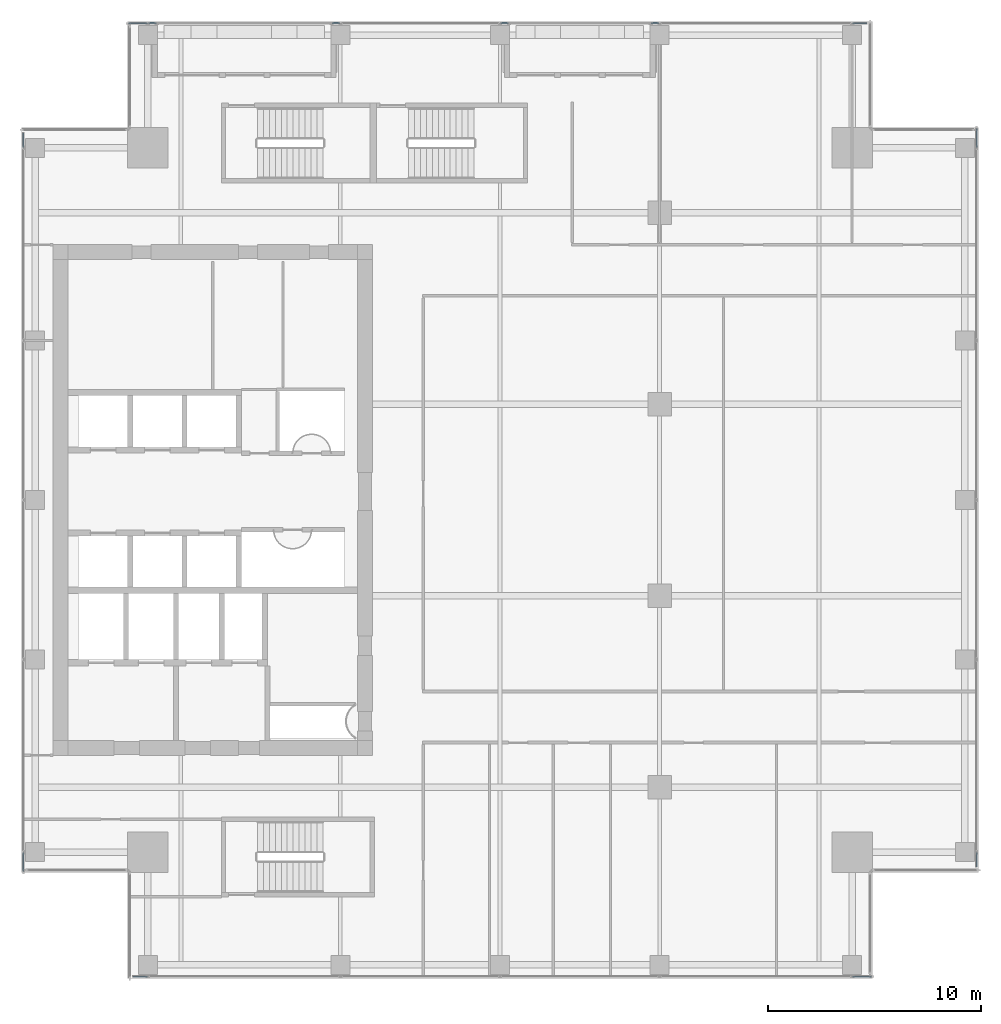
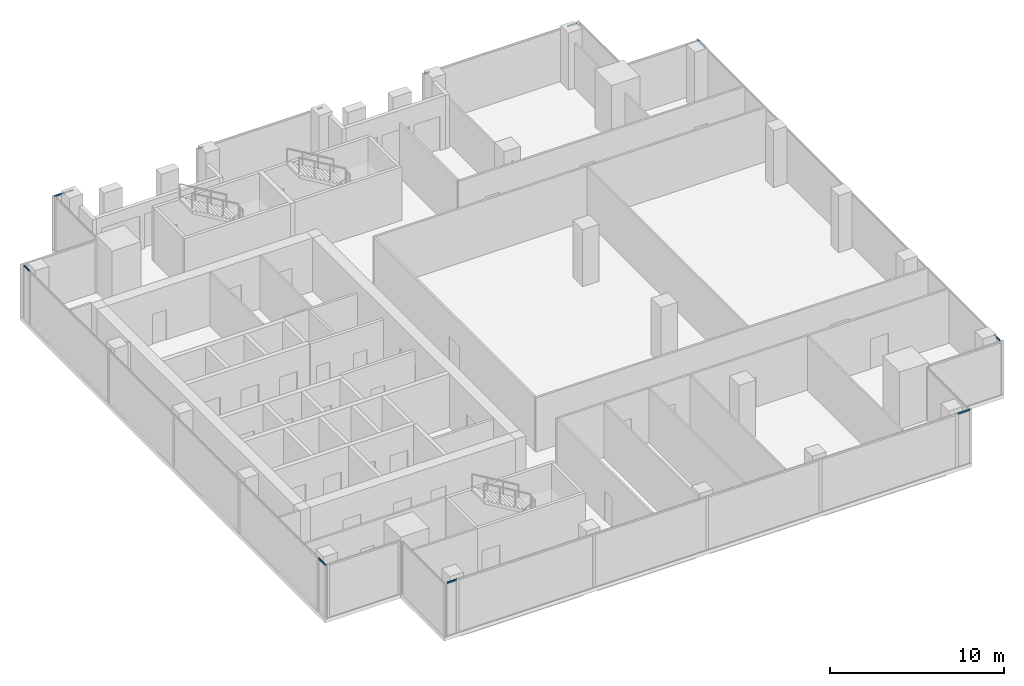
# One storey, part 24 of 35: 12 members, 6 elements without a shape of their own.
"""IFC4 building model written with IfcOpenShell, lengths in metres."""

import ifcopenshell
import ifcopenshell.guid

model = None  # the IFC model being written
_history = None  # IfcOwnerHistory: only IFC2X3 demands one
_inside = {}  # id of a spatial element -> (the spatial element, [elements in it])
_under = {}  # id of a project, library or spatial element -> (it, [spatial elements below it])
_declared = {}  # id of a project -> (the project, [libraries it declares])
_typed = {}  # id of a type object -> (the type object, [elements of that type])
_made_of = {}  # id of a material, layer set ... -> (it, [elements and type objects made of it])


def new_model(schema):
    """Start an empty IFC model of exactly this schema.

    Asked for "IFC4X3", IfcOpenShell would pick the latest addendum, in which some entities
    have other attributes; the version numbers below select the first issue.
    IFC2X3 requires an IfcOwnerHistory on every rooted entity: one is made here for all.
    """
    global model, _history
    if schema == "IFC4X3":
        model = ifcopenshell.file(schema_version=(4, 3, 0, 0))
    else:
        model = ifcopenshell.file(schema=schema)
    _inside.clear()
    _under.clear()
    _declared.clear()
    _typed.clear()
    _made_of.clear()
    _history = None
    if model.schema == "IFC2X3":
        org = make("IfcOrganization", Name="unknown")
        user = make(
            "IfcPersonAndOrganization",
            ThePerson=make("IfcPerson", FamilyName="unknown"),
            TheOrganization=org,
        )
        app = make(
            "IfcApplication",
            ApplicationDeveloper=org,
            Version="unknown",
            ApplicationFullName="unknown",
            ApplicationIdentifier="unknown",
        )
        _history = make(
            "IfcOwnerHistory",
            OwningUser=user,
            OwningApplication=app,
            ChangeAction="ADDED",
            CreationDate=0,
        )
    return model


def make(cls, **values):
    """One entity of the class cls with the attributes given. An attribute that is None is left unset."""
    return model.create_entity(
        cls, **{name: value for name, value in values.items() if value is not None}
    )


def rooted(cls, **values):
    """An entity with a GlobalId (a new one), such as an element, a storey or a relation."""
    return make(cls, GlobalId=ifcopenshell.guid.new(), OwnerHistory=_history, **values)


def si_unit(unit_type, name, prefix=None):
    """IfcSIUnit, for example si_unit("LENGTHUNIT", "METRE", prefix="MILLI")."""
    return make("IfcSIUnit", UnitType=unit_type, Prefix=prefix, Name=name)


def assignment(units):
    """IfcUnitAssignment: the units of a project."""
    return None if units is None else make("IfcUnitAssignment", Units=units)


def point(xyz):
    """IfcCartesianPoint."""
    return None if xyz is None else make("IfcCartesianPoint", Coordinates=xyz)


def direction(xyz):
    """IfcDirection."""
    return None if xyz is None else make("IfcDirection", DirectionRatios=xyz)


def frame(location, z_axis=None, x_axis=None):
    """IfcAxis2Placement3D, a coordinate frame: its origin and axes. An axis left out is left unset."""
    return make(
        "IfcAxis2Placement3D",
        Location=point(location),
        Axis=direction(z_axis),
        RefDirection=direction(x_axis),
    )


def frame_2d(location, x_axis=None):
    """IfcAxis2Placement2D, a coordinate frame in the plane: its origin and x axis."""
    return make(
        "IfcAxis2Placement2D", Location=point(location), RefDirection=direction(x_axis)
    )


def origin():
    """The frame at (0, 0, 0) with its axes left unset."""
    return frame((0.0, 0.0, 0.0))


def origin_2d():
    """The frame at (0, 0) in the plane with its x axis left unset."""
    return frame_2d((0.0, 0.0))


def place(relative_to, where):
    """IfcLocalPlacement: puts the frame where relative to a parent placement (None: the world)."""
    return make(
        "IfcLocalPlacement", PlacementRelTo=relative_to, RelativePlacement=where
    )


def context(
    kind, dimensions, precision=None, world=None, true_north=None, identifier=None
):
    """IfcGeometricRepresentationContext, for example the 3D "Model" context."""
    return make(
        "IfcGeometricRepresentationContext",
        ContextIdentifier=identifier,
        ContextType=kind,
        CoordinateSpaceDimension=dimensions,
        Precision=precision,
        WorldCoordinateSystem=world,
        TrueNorth=true_north,
    )


def subcontext(parent, identifier, kind, view, scale=None):
    """IfcGeometricRepresentationSubContext, for example "Body" below "Model"."""
    return make(
        "IfcGeometricRepresentationSubContext",
        ContextIdentifier=identifier,
        ContextType=kind,
        ParentContext=parent,
        TargetScale=scale,
        TargetView=view,
    )


def project(units=None, contexts=None):
    """IfcProject with its units and contexts."""
    return rooted(
        "IfcProject",
        Name="project",
        RepresentationContexts=contexts,
        UnitsInContext=assignment(units),
    )


def spatial(cls, under=None, at=None, **own):
    """A site, building, storey or space (cls), placed at a placement, below another one or the project."""
    s = rooted(cls, ObjectPlacement=at, **own)
    if under is not None:
        _under.setdefault(under.id(), (under, []))[1].append(s)
    return s


def profile(cls, at=None, kind="AREA", **sizes):
    """A parametric profile (cls). Its sizes go by their IFC names, for example OverallWidth=200.0."""
    return make(cls, ProfileType=kind, Position=at, **sizes)


def hollow_rectangle(**sizes):
    """IfcRectangleHollowProfileDef."""
    return profile("IfcRectangleHollowProfileDef", **sizes)


def extrude(swept, where, along, depth):
    """IfcExtrudedAreaSolid: the profile swept, set in the frame where, extruded along a direction by depth."""
    return make(
        "IfcExtrudedAreaSolid",
        SweptArea=swept,
        Position=where,
        ExtrudedDirection=direction(along),
        Depth=depth,
    )


def shape(context_of_items, identifier, shape_type, items):
    """IfcShapeRepresentation: the items that make up one representation, for example the "Body"."""
    return make(
        "IfcShapeRepresentation",
        ContextOfItems=context_of_items,
        RepresentationIdentifier=identifier,
        RepresentationType=shape_type,
        Items=items,
    )


def source(mapping_origin, context_of_items, identifier, shape_type, items):
    """IfcRepresentationMap: a shape defined once, which mapped items show again and again."""
    return make(
        "IfcRepresentationMap",
        MappingOrigin=mapping_origin,
        MappedRepresentation=shape(context_of_items, identifier, shape_type, items),
    )


def transform(
    local_origin,
    x_axis=None,
    y_axis=None,
    z_axis=None,
    scale=None,
    scale2=None,
    scale3=None,
    uniform=True,
):
    """IfcCartesianTransformationOperator3D, or its non-uniform kind. x_axis, y_axis, z_axis: its Axis1, 2, 3."""
    if uniform:
        return make(
            "IfcCartesianTransformationOperator3D",
            Axis1=direction(x_axis),
            Axis2=direction(y_axis),
            LocalOrigin=point(local_origin),
            Scale=scale,
            Axis3=direction(z_axis),
        )
    return make(
        "IfcCartesianTransformationOperator3DnonUniform",
        Axis1=direction(x_axis),
        Axis2=direction(y_axis),
        LocalOrigin=point(local_origin),
        Scale=scale,
        Axis3=direction(z_axis),
        Scale2=scale2,
        Scale3=scale3,
    )


def mapped(mapping_source, mapping_target):
    """IfcMappedItem: shows the shape of a source again, moved by a transform."""
    return make(
        "IfcMappedItem", MappingSource=mapping_source, MappingTarget=mapping_target
    )


def material(Name=None, Category=None):
    """IfcMaterial."""
    return make("IfcMaterial", Name=Name, Category=Category)


def material_profile(
    of_material, cross_section, Name=None, Category=None, Priority=None
):
    """IfcMaterialProfile: a cross section and its material."""
    return make(
        "IfcMaterialProfile",
        Name=Name,
        Material=of_material,
        Profile=cross_section,
        Priority=Priority,
        Category=Category,
    )


def profile_set(profiles, Name=None, composite=None):
    """IfcMaterialProfileSet."""
    return make(
        "IfcMaterialProfileSet",
        Name=Name,
        MaterialProfiles=profiles,
        CompositeProfile=composite,
    )


def made_of(thing, what):
    """Note that an element or type object is made of a material, layer set ...; save() writes the relation."""
    if what is not None:
        _made_of.setdefault(what.id(), (what, []))[1].append(thing)
    return thing


def type_object(cls, material=None, **own):
    """A type object (cls), such as IfcWallType, which elements share."""
    return made_of(rooted(cls, **own), material)


def element(
    cls,
    number,
    at=None,
    inside=None,
    cuts=None,
    type_object=None,
    material=None,
    context=None,
    identifier="Body",
    shape_type=None,
    held_by="IfcProductDefinitionShape",
    body=None,
    shapes=None,
    **own,
):
    """One element of the class cls, such as IfcWall. Its Tag is "e" and its number.

    at: its placement. inside: the storey or other place that contains it. cuts: it is an
    opening in that element (IfcRelVoidsElement). A single representation is given by context,
    identifier, shape_type and body (its items); several are given by shapes. held_by: the class
    of the entity that holds the representations. save() writes the other relations.
    """
    e = rooted(cls, Tag="e%d" % number, ObjectPlacement=at, **own)
    if body is not None:
        shapes = [shape(context, identifier, shape_type, body)]
    if shapes is not None:
        e.Representation = make(held_by, Representations=shapes)
    if inside is not None:
        _inside.setdefault(inside.id(), (inside, []))[1].append(e)
    if cuts is not None:
        rooted(
            "IfcRelVoidsElement", RelatingBuildingElement=cuts, RelatedOpeningElement=e
        )
    if type_object is not None:
        _typed.setdefault(type_object.id(), (type_object, []))[1].append(e)
    return made_of(e, material)


def aggregate(whole, parts):
    """IfcRelAggregates: a whole, such as a stair, and the parts it consists of."""
    return rooted("IfcRelAggregates", RelatingObject=whole, RelatedObjects=parts)


def save(model, path):
    """Write the relations noted so far, then the file.

    IfcRelAggregates (storeys below a building ...), IfcRelContainedInSpatialStructure (elements
    in a storey), IfcRelDefinesByType, IfcRelAssociatesMaterial and IfcRelDeclares: one each for
    every whole, place, type object, material and project.
    """
    for whole, parts in _under.values():
        aggregate(whole, parts)
    for where, things in _inside.values():
        rooted(
            "IfcRelContainedInSpatialStructure",
            RelatedElements=things,
            RelatingStructure=where,
        )
    for kind, things in _typed.values():
        rooted("IfcRelDefinesByType", RelatedObjects=things, RelatingType=kind)
    for what, things in _made_of.values():
        rooted("IfcRelAssociatesMaterial", RelatedObjects=things, RelatingMaterial=what)
    for by, libraries in _declared.values():
        rooted("IfcRelDeclares", RelatingContext=by, RelatedDefinitions=libraries)
    model.write(path)


model = new_model("IFC4")

# Units and contexts
model_context = context("Model", 3, precision=1e-05, world=origin(), true_north=direction((0.0, 1.0)))
body_context = subcontext(model_context, "Body", "Model", "MODEL_VIEW")
ifc_project = project(units=[si_unit("LENGTHUNIT", "METRE"), si_unit("AREAUNIT", "SQUARE_METRE"), si_unit("VOLUMEUNIT", "CUBIC_METRE"), si_unit("PLANEANGLEUNIT", "RADIAN"), si_unit("MASSUNIT", "GRAM", prefix="KILO")], contexts=[model_context])

# Site, building, storey
site_placement = place(None, origin())
site = spatial("IfcSite", under=ifc_project, at=site_placement, CompositionType="ELEMENT")
building_placement = place(site_placement, origin())
building = spatial("IfcBuilding", under=site, at=building_placement, Name="Khomas Fold Tower", CompositionType="ELEMENT")
storey_placement = place(building_placement, frame((0.0, 0.0, 270.199951171875)))
storey = spatial("IfcBuildingStorey", under=building, at=storey_placement, Name="L61", CompositionType="ELEMENT", Elevation=270.199951171875)

# Curtain wall, member
ifc_material_1 = material(Name="Aluminium framed double glazing", Category="aluminium")
curtain_wall_type = type_object("IfcCurtainWallType", Name="SK-Unitised clear-glass wall, office floors CW2", PredefinedType="NOTDEFINED", material=ifc_material_1)
curtain_wall_1_placement = place(storey_placement, origin())
curtain_wall_1 = element("IfcCurtainWall", 1, at=curtain_wall_1_placement, inside=storey, type_object=curtain_wall_type, Name="CW2 run L61 00-0", PredefinedType="NOTDEFINED")
ifc_material_2 = material(Name="Aluminium", Category="aluminium")
ifc_material_profile = material_profile(ifc_material_2, hollow_rectangle(XDim=0.050048828125, YDim=0.110107421875, WallThickness=0.00390625, at=origin_2d()), Name="SK-Unitised clear-glass wall, office floors transom CW2-T")
ifc_profile_set = profile_set([ifc_material_profile], Name="Aluminium")
member_type = type_object("IfcMemberType", Name="SK-Unitised clear-glass wall, office floors transom CW2-T", PredefinedType="USERDEFINED", material=ifc_profile_set)
shared_shape_1 = source(origin(), body_context, "Body", "SweptSolid", [
    extrude(hollow_rectangle(XDim=0.050048828125, YDim=0.110107421875, WallThickness=0.00390625, at=origin_2d()), origin(), (0.0, 0.0, 1.0), 0.659912109375),
])
member_1_placement = place(storey_placement, frame((9.760009765625, 4.60009765625, 3.695068359375), z_axis=(1.0, 0.0, 0.0), x_axis=(0.0, 1.0, 0.0)))
member_1 = element("IfcMember", 2, at=member_1_placement, type_object=member_type, Name="CW2 transom 1", ObjectType="TRANSOM", PredefinedType="USERDEFINED", context=body_context, shape_type="MappedRepresentation", body=[
    mapped(shared_shape_1, transform((0.0, 0.0, 0.0))),
])

curtain_wall_2_placement = place(storey_placement, origin())
curtain_wall_2 = element("IfcCurtainWall", 3, at=curtain_wall_2_placement, inside=storey, type_object=curtain_wall_type, Name="CW2 run L61 03-0", PredefinedType="NOTDEFINED")
member_2_placement = place(storey_placement, frame((49.39990234375, 9.760009765625, 3.695068359375), z_axis=(0.0, 1.0, 0.0), x_axis=(-1.0, 0.0, 0.0)))
member_2 = element("IfcMember", 4, at=member_2_placement, type_object=member_type, Name="CW2 transom 1", ObjectType="TRANSOM", PredefinedType="USERDEFINED", context=body_context, shape_type="MappedRepresentation", body=[
    mapped(shared_shape_1, transform((0.0, 0.0, 0.0))),
])

curtain_wall_3_placement = place(storey_placement, origin())
curtain_wall_3 = element("IfcCurtainWall", 5, at=curtain_wall_3_placement, inside=storey, type_object=curtain_wall_type, Name="CW2 run L61 06-0", PredefinedType="NOTDEFINED")
member_3_placement = place(storey_placement, frame((44.239990234375, 49.39990234375, 3.695068359375), z_axis=(-1.0, 0.0, 0.0), x_axis=(0.0, -1.0, 0.0)))
member_3 = element("IfcMember", 6, at=member_3_placement, type_object=member_type, Name="CW2 transom 1", ObjectType="TRANSOM", PredefinedType="USERDEFINED", context=body_context, shape_type="MappedRepresentation", body=[
    mapped(shared_shape_1, transform((0.0, 0.0, 0.0))),
])

curtain_wall_4_placement = place(storey_placement, origin())
curtain_wall_4 = element("IfcCurtainWall", 7, at=curtain_wall_4_placement, inside=storey, type_object=curtain_wall_type, Name="CW2 run L61 09-0", PredefinedType="NOTDEFINED")
member_4_placement = place(storey_placement, frame((4.60009765625, 44.239990234375, 3.695068359375), z_axis=(0.0, -1.0, 0.0), x_axis=(1.0, 0.0, 0.0)))
member_4 = element("IfcMember", 8, at=member_4_placement, type_object=member_type, Name="CW2 transom 1", ObjectType="TRANSOM", PredefinedType="USERDEFINED", context=body_context, shape_type="MappedRepresentation", body=[
    mapped(shared_shape_1, transform((0.0, 0.0, 0.0))),
])

# Member
shared_shape_2 = source(origin(), body_context, "Body", "SweptSolid", [
    extrude(hollow_rectangle(XDim=0.050048828125, YDim=0.110107421875, WallThickness=0.00390625, at=origin_2d()), origin(), (0.0, 0.0, 1.0), 0.85986328125),
])
member_5_placement = place(storey_placement, frame((43.580078125, 4.60009765625, 3.695068359375), z_axis=(1.0, 0.0, 0.0), x_axis=(0.0, 1.0, 0.0)))
member_5 = element("IfcMember", 9, at=member_5_placement, type_object=member_type, Name="CW2 transom 6", ObjectType="TRANSOM", PredefinedType="USERDEFINED", context=body_context, shape_type="MappedRepresentation", body=[
    mapped(shared_shape_2, transform((0.0, 0.0, 0.0))),
])

aggregate(curtain_wall_1, [member_1, member_5])

member_6_placement = place(storey_placement, frame((49.39990234375, 43.580078125, 3.695068359375), z_axis=(0.0, 1.0, 0.0), x_axis=(-1.0, 0.0, 0.0)))
member_6 = element("IfcMember", 10, at=member_6_placement, type_object=member_type, Name="CW2 transom 6", ObjectType="TRANSOM", PredefinedType="USERDEFINED", context=body_context, shape_type="MappedRepresentation", body=[
    mapped(shared_shape_2, transform((0.0, 0.0, 0.0))),
])

aggregate(curtain_wall_2, [member_2, member_6])

# Curtain wall, member
curtain_wall_5_placement = place(storey_placement, origin())
curtain_wall_5 = element("IfcCurtainWall", 11, at=curtain_wall_5_placement, inside=storey, type_object=curtain_wall_type, Name="CW2 run L61 06-2", PredefinedType="NOTDEFINED")
member_7_placement = place(storey_placement, frame((10.419921875, 49.39990234375, 3.695068359375), z_axis=(-1.0, 0.0, 0.0), x_axis=(0.0, -1.0, 0.0)))
member_7 = element("IfcMember", 12, at=member_7_placement, type_object=member_type, Name="CW2 transom 2", ObjectType="TRANSOM", PredefinedType="USERDEFINED", context=body_context, shape_type="MappedRepresentation", body=[
    mapped(shared_shape_2, transform((0.0, 0.0, 0.0))),
])

# Member
member_8_placement = place(storey_placement, frame((4.60009765625, 10.419921875, 3.695068359375), z_axis=(0.0, -1.0, 0.0), x_axis=(1.0, 0.0, 0.0)))
member_8 = element("IfcMember", 13, at=member_8_placement, type_object=member_type, Name="CW2 transom 6", ObjectType="TRANSOM", PredefinedType="USERDEFINED", context=body_context, shape_type="MappedRepresentation", body=[
    mapped(shared_shape_2, transform((0.0, 0.0, 0.0))),
])

aggregate(curtain_wall_4, [member_4, member_8])

shared_shape_3 = source(origin(), body_context, "Body", "SweptSolid", [
    extrude(hollow_rectangle(XDim=0.050048828125, YDim=0.110107421875, WallThickness=0.00390625, at=origin_2d()), origin(), (0.0, 0.0, 1.0), 0.35986328125),
])
member_9_placement = place(storey_placement, frame((34.469970703125, 49.39990234375, 3.695068359375), z_axis=(-1.0, 0.0, 0.0), x_axis=(0.0, -1.0, 0.0)))
member_9 = element("IfcMember", 14, at=member_9_placement, type_object=member_type, Name="CW2 transom 3", ObjectType="TRANSOM", PredefinedType="USERDEFINED", context=body_context, shape_type="MappedRepresentation", body=[
    mapped(shared_shape_3, transform((0.0, 0.0, 0.0))),
])

aggregate(curtain_wall_3, [member_3, member_9])

# Curtain wall, members
curtain_wall_6_placement = place(storey_placement, origin())
curtain_wall_6 = element("IfcCurtainWall", 15, at=curtain_wall_6_placement, inside=storey, type_object=curtain_wall_type, Name="CW2 run L61 06-1", PredefinedType="NOTDEFINED")
member_10_placement = place(storey_placement, frame((27.389892578125, 49.39990234375, 3.695068359375), z_axis=(-1.0, 0.0, 0.0), x_axis=(0.0, -1.0, 0.0)))
member_10 = element("IfcMember", 16, at=member_10_placement, type_object=member_type, Name="CW2 transom 1", ObjectType="TRANSOM", PredefinedType="USERDEFINED", context=body_context, shape_type="MappedRepresentation", body=[
    mapped(shared_shape_3, transform((0.0, 0.0, 0.0))),
])
member_11_placement = place(storey_placement, frame((19.469970703125, 49.39990234375, 3.695068359375), z_axis=(-1.0, 0.0, 0.0), x_axis=(0.0, -1.0, 0.0)))
member_11 = element("IfcMember", 17, at=member_11_placement, type_object=member_type, Name="CW2 transom 3", ObjectType="TRANSOM", PredefinedType="USERDEFINED", context=body_context, shape_type="MappedRepresentation", body=[
    mapped(shared_shape_3, transform((0.0, 0.0, 0.0))),
])
aggregate(curtain_wall_6, [member_10, member_11])

# Member
shared_shape_4 = source(origin(), body_context, "Body", "SweptSolid", [
    extrude(hollow_rectangle(XDim=0.050048828125, YDim=0.110107421875, WallThickness=0.00390625, at=origin_2d()), origin(), (0.0, 0.0, 1.0), 0.360107421875),
])
member_12_placement = place(storey_placement, frame((10.840087890625, 49.39990234375, 3.695068359375), z_axis=(-1.0, 0.0, 0.0), x_axis=(0.0, -1.0, 0.0)))
member_12 = element("IfcMember", 18, at=member_12_placement, type_object=member_type, Name="CW2 transom 1", ObjectType="TRANSOM", PredefinedType="USERDEFINED", context=body_context, shape_type="MappedRepresentation", body=[
    mapped(shared_shape_4, transform((0.0, 0.0, 0.0))),
])

aggregate(curtain_wall_5, [member_12, member_7])

save(model, "model.ifc")
